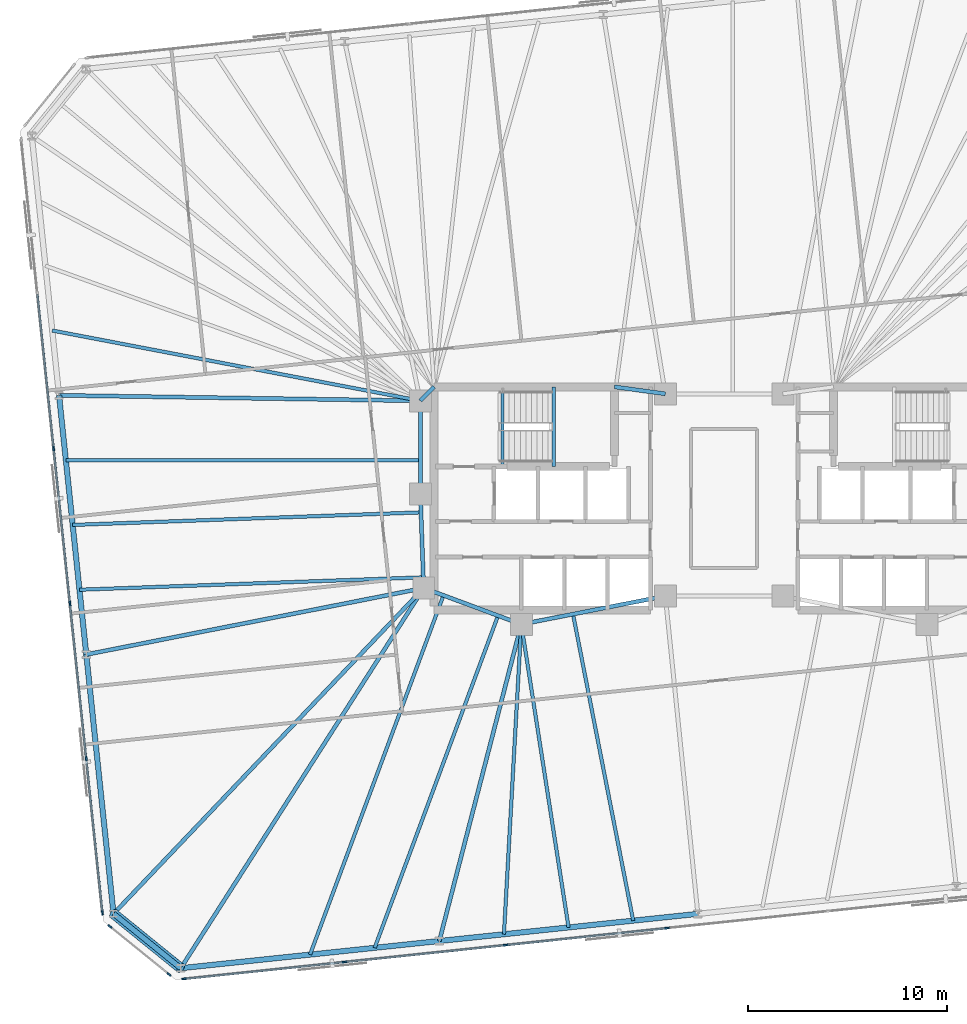
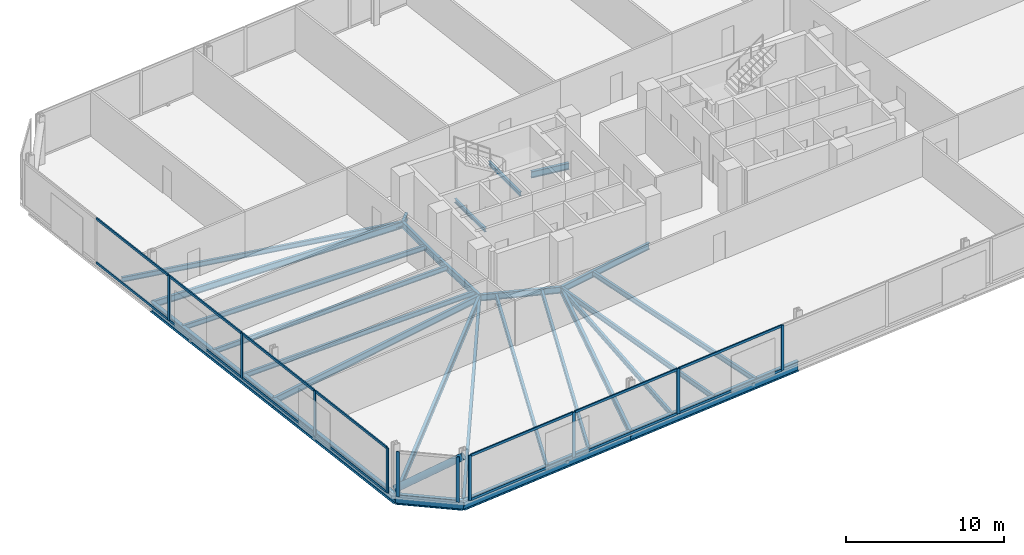
# One storey, part 6 of 18: 27 beams, 25 members, 3 elements without a shape of their own.
"""IFC4 building model written with IfcOpenShell, lengths in metres."""

from ifc_helpers import new_model, si_unit, direction, frame, origin, origin_2d, place, context, subcontext, project, spatial, rectangle, hollow_circle, i_section, extrude, material, material_profile, profile_set, type_object, element, aggregate, save


model = new_model("IFC4")

# Units and contexts
model_context = context("Model", 3, precision=1e-05, world=origin(), true_north=direction((0.0, 1.0)))
body_context = subcontext(model_context, "Body", "Model", "MODEL_VIEW")
ifc_project = project(units=[si_unit("LENGTHUNIT", "METRE"), si_unit("AREAUNIT", "SQUARE_METRE"), si_unit("VOLUMEUNIT", "CUBIC_METRE"), si_unit("PLANEANGLEUNIT", "RADIAN"), si_unit("MASSUNIT", "GRAM", prefix="KILO")], contexts=[model_context])

# Site, building, storey
site_placement = place(None, origin())
site = spatial("IfcSite", under=ifc_project, at=site_placement, CompositionType="ELEMENT")
building_placement = place(site_placement, origin())
building = spatial("IfcBuilding", under=site, at=building_placement, Name="Menara Jurai Vektor", CompositionType="ELEMENT")
storey_placement = place(building_placement, frame((0.0, 0.0, 105.89990234375)))
storey = spatial("IfcBuildingStorey", under=building, at=storey_placement, Name="L26", CompositionType="ELEMENT", Elevation=105.89990234375)

# Curtain wall, members
ifc_material_1 = material(Name="Anodised Pale Aluminium & Low-E Double Glazing", Category="aluminium")
curtain_wall_type = type_object("IfcCurtainWallType", Name="CW-BLK2", PredefinedType="NOTDEFINED", material=ifc_material_1)
curtain_wall_1_placement = place(storey_placement, origin())
curtain_wall_1 = element("IfcCurtainWall", 1, at=curtain_wall_1_placement, inside=storey, type_object=curtain_wall_type, Name="Unitised Curtain Wall L26 F01", PredefinedType="NOTDEFINED")
ifc_material_2 = material(Name="Anodised Pale Aluminium Mullion", Category="aluminium")
ifc_material_profile_1 = material_profile(ifc_material_2, rectangle(XDim=0.090087890625, YDim=0.219970703125, at=origin_2d()), Name="ALU MUL 90x220")
ifc_profile_set_1 = profile_set([ifc_material_profile_1], Name="Anodised Pale Aluminium Mullion")
member_type_1 = type_object("IfcMemberType", Name="CW-BLK2-MUL", PredefinedType="MULLION", material=ifc_profile_set_1)
member_1_placement = place(storey_placement, frame((-27.116455078125, -24.122314453125, 0.0), z_axis=(0.0, 0.0, 1.0), x_axis=(-0.104528634935, 0.994521877325, 0.0)))
member_1 = element("IfcMember", 2, at=member_1_placement, type_object=member_type_1, Name="CW-02 mullion 1", PredefinedType="MULLION", context=body_context, shape_type="SweptSolid", body=[
    extrude(rectangle(XDim=0.090087890625, YDim=0.219970703125, at=origin_2d()), origin(), (0.0, 0.0, 1.0), 3.47509765625),
])
member_2_placement = place(storey_placement, frame((-19.0634765625, -23.27587890625, 0.0), z_axis=(0.0, 0.0, 1.0), x_axis=(-0.104528634935, 0.994521877325, 0.0)))
member_2 = element("IfcMember", 3, at=member_2_placement, type_object=member_type_1, Name="CW-02 mullion 2", PredefinedType="MULLION", context=body_context, shape_type="SweptSolid", body=[
    extrude(rectangle(XDim=0.090087890625, YDim=0.219970703125, at=origin_2d()), origin(), (0.0, 0.0, 1.0), 3.47509765625),
])
member_3_placement = place(storey_placement, frame((-10.965576171875, -22.4248046875, 0.0), z_axis=(0.0, 0.0, 1.0), x_axis=(-0.104528634935, 0.994521877325, 0.0)))
member_3 = element("IfcMember", 4, at=member_3_placement, type_object=member_type_1, Name="CW-02 mullion 3", PredefinedType="MULLION", context=body_context, shape_type="SweptSolid", body=[
    extrude(rectangle(XDim=0.090087890625, YDim=0.219970703125, at=origin_2d()), origin(), (0.0, 0.0, 1.0), 3.47509765625),
])
member_4_placement = place(storey_placement, frame((-2.86767578125, -21.57373046875, 0.0), z_axis=(0.0, 0.0, 1.0), x_axis=(-0.104528634935, 0.994521877325, 0.0)))
member_4 = element("IfcMember", 5, at=member_4_placement, type_object=member_type_1, Name="CW-02 mullion 4", PredefinedType="MULLION", context=body_context, shape_type="SweptSolid", body=[
    extrude(rectangle(XDim=0.090087890625, YDim=0.219970703125, at=origin_2d()), origin(), (0.0, 0.0, 1.0), 3.47509765625),
])

curtain_wall_2_placement = place(storey_placement, origin())
curtain_wall_2 = element("IfcCurtainWall", 6, at=curtain_wall_2_placement, inside=storey, type_object=curtain_wall_type, Name="Unitised Curtain Wall L26 F07", PredefinedType="NOTDEFINED")
member_5_placement = place(storey_placement, frame((-33.66064453125, 2.50341796875, 0.0), z_axis=(0.0, 0.0, 1.0), x_axis=(0.99452177832, 0.104529576902, 0.0)))
member_5 = element("IfcMember", 7, at=member_5_placement, type_object=member_type_1, Name="CW-02 mullion 3", PredefinedType="MULLION", context=body_context, shape_type="SweptSolid", body=[
    extrude(rectangle(XDim=0.090087890625, YDim=0.219970703125, at=origin_2d()), origin(), (0.0, 0.0, 1.0), 3.47509765625),
])
member_6_placement = place(storey_placement, frame((-32.84228515625, -5.28173828125, 0.0), z_axis=(0.0, 0.0, 1.0), x_axis=(0.99452177832, 0.104529576902, 0.0)))
member_6 = element("IfcMember", 8, at=member_6_placement, type_object=member_type_1, Name="CW-02 mullion 4", PredefinedType="MULLION", context=body_context, shape_type="SweptSolid", body=[
    extrude(rectangle(XDim=0.090087890625, YDim=0.219970703125, at=origin_2d()), origin(), (0.0, 0.0, 1.0), 3.47509765625),
])
member_7_placement = place(storey_placement, frame((-32.024169921875, -13.06689453125, 0.0), z_axis=(0.0, 0.0, 1.0), x_axis=(0.99452177832, 0.104529576902, 0.0)))
member_7 = element("IfcMember", 9, at=member_7_placement, type_object=member_type_1, Name="CW-02 mullion 5", PredefinedType="MULLION", context=body_context, shape_type="SweptSolid", body=[
    extrude(rectangle(XDim=0.090087890625, YDim=0.219970703125, at=origin_2d()), origin(), (0.0, 0.0, 1.0), 3.47509765625),
])
member_8_placement = place(storey_placement, frame((-31.21044921875, -20.80712890625, 0.0), z_axis=(0.0, 0.0, 1.0), x_axis=(0.99452177832, 0.104529576902, 0.0)))
member_8 = element("IfcMember", 10, at=member_8_placement, type_object=member_type_1, Name="CW-02 mullion 6", PredefinedType="MULLION", context=body_context, shape_type="SweptSolid", body=[
    extrude(rectangle(XDim=0.090087890625, YDim=0.219970703125, at=origin_2d()), origin(), (0.0, 0.0, 1.0), 3.47509765625),
])

curtain_wall_3_placement = place(storey_placement, origin())
curtain_wall_3 = element("IfcCurtainWall", 11, at=curtain_wall_3_placement, inside=storey, type_object=curtain_wall_type, Name="Unitised Curtain Wall L26 F08", PredefinedType="NOTDEFINED")
member_9_placement = place(storey_placement, frame((-30.8359375, -21.497314453125, 0.0), z_axis=(0.0, 0.0, 1.0), x_axis=(0.629313085353, 0.777151877437, 0.0)))
member_9 = element("IfcMember", 12, at=member_9_placement, type_object=member_type_1, Name="CW-02 mullion 1", PredefinedType="MULLION", context=body_context, shape_type="SweptSolid", body=[
    extrude(rectangle(XDim=0.090087890625, YDim=0.219970703125, at=origin_2d()), origin(), (0.0, 0.0, 1.0), 3.47509765625),
])
member_10_placement = place(storey_placement, frame((-27.869384765625, -23.8994140625, 0.0), z_axis=(0.0, 0.0, 1.0), x_axis=(0.629313085353, 0.777151877437, 0.0)))
member_10 = element("IfcMember", 13, at=member_10_placement, type_object=member_type_1, Name="CW-02 mullion 2", PredefinedType="MULLION", context=body_context, shape_type="SweptSolid", body=[
    extrude(rectangle(XDim=0.090087890625, YDim=0.219970703125, at=origin_2d()), origin(), (0.0, 0.0, 1.0), 3.47509765625),
])
aggregate(curtain_wall_3, [member_9, member_10])

# Member
ifc_material_3 = material(Name="Anodised Pale Aluminium Transom", Category="aluminium")
ifc_material_profile_2 = material_profile(ifc_material_3, rectangle(XDim=0.090087890625, YDim=0.18505859375, at=origin_2d()), Name="ALU TRN 90x185")
ifc_profile_set_2 = profile_set([ifc_material_profile_2], Name="Anodised Pale Aluminium Transom")
member_type_2 = type_object("IfcMemberType", Name="CW-BLK2-TRN", PredefinedType="USERDEFINED", material=ifc_profile_set_2)
member_11_placement = place(storey_placement, frame((-27.07177734375, -24.11767578125, 0.045166015625), z_axis=(0.994523147415, 0.10451655015, 0.0), x_axis=(-0.10451655015, 0.994523147415, 0.0)))
member_11 = element("IfcMember", 14, at=member_11_placement, type_object=member_type_2, Name="CW-02 transom 1.1", ObjectType="TRANSOM", PredefinedType="USERDEFINED", context=body_context, shape_type="SweptSolid", body=[
    extrude(rectangle(XDim=0.090087890625, YDim=0.18505859375, at=origin_2d()), origin(), (0.0, 0.0, 1.0), 8.007568359375),
])

member_12_placement = place(storey_placement, frame((-27.07177734375, -24.11767578125, 3.43017578125), z_axis=(0.994523147415, 0.10451655015, 0.0), x_axis=(-0.10451655015, 0.994523147415, 0.0)))
member_12 = element("IfcMember", 15, at=member_12_placement, type_object=member_type_2, Name="CW-02 transom 1.2", ObjectType="TRANSOM", PredefinedType="USERDEFINED", context=body_context, shape_type="SweptSolid", body=[
    extrude(rectangle(XDim=0.090087890625, YDim=0.18505859375, at=origin_2d()), origin(), (0.0, 0.0, 1.0), 8.007568359375),
])

member_13_placement = place(storey_placement, frame((-19.0185546875, -23.271240234375, 0.045166015625), z_axis=(0.994520726373, 0.10453958492, 0.0), x_axis=(-0.10453958492, 0.994520726373, 0.0)))
member_13 = element("IfcMember", 16, at=member_13_placement, type_object=member_type_2, Name="CW-02 transom 2.1", ObjectType="TRANSOM", PredefinedType="USERDEFINED", context=body_context, shape_type="SweptSolid", body=[
    extrude(rectangle(XDim=0.090087890625, YDim=0.18505859375, at=origin_2d()), origin(), (0.0, 0.0, 1.0), 8.052490234375),
])

member_14_placement = place(storey_placement, frame((-19.0185546875, -23.271240234375, 3.43017578125), z_axis=(0.994520726373, 0.10453958492, 0.0), x_axis=(-0.10453958492, 0.994520726373, 0.0)))
member_14 = element("IfcMember", 17, at=member_14_placement, type_object=member_type_2, Name="CW-02 transom 2.2", ObjectType="TRANSOM", PredefinedType="USERDEFINED", context=body_context, shape_type="SweptSolid", body=[
    extrude(rectangle(XDim=0.090087890625, YDim=0.18505859375, at=origin_2d()), origin(), (0.0, 0.0, 1.0), 8.052490234375),
])

member_15_placement = place(storey_placement, frame((-10.920654296875, -22.420166015625, 0.045166015625), z_axis=(0.994520726373, 0.10453958492, 0.0), x_axis=(-0.10453958492, 0.994520726373, 0.0)))
member_15 = element("IfcMember", 18, at=member_15_placement, type_object=member_type_2, Name="CW-02 transom 3.1", ObjectType="TRANSOM", PredefinedType="USERDEFINED", context=body_context, shape_type="SweptSolid", body=[
    extrude(rectangle(XDim=0.090087890625, YDim=0.18505859375, at=origin_2d()), origin(), (0.0, 0.0, 1.0), 8.052490234375),
])

member_16_placement = place(storey_placement, frame((-10.920654296875, -22.420166015625, 3.43017578125), z_axis=(0.994520726373, 0.10453958492, 0.0), x_axis=(-0.10453958492, 0.994520726373, 0.0)))
member_16 = element("IfcMember", 19, at=member_16_placement, type_object=member_type_2, Name="CW-02 transom 3.2", ObjectType="TRANSOM", PredefinedType="USERDEFINED", context=body_context, shape_type="SweptSolid", body=[
    extrude(rectangle(XDim=0.090087890625, YDim=0.18505859375, at=origin_2d()), origin(), (0.0, 0.0, 1.0), 8.052490234375),
])

aggregate(curtain_wall_1, [member_1, member_2, member_3, member_4, member_11, member_12, member_13, member_14, member_15, member_16])

member_17_placement = place(storey_placement, frame((-34.47412109375, 10.243896484375, 0.045166015625), z_axis=(0.104525476786, -0.994522209256, 0.0), x_axis=(0.994522209256, 0.104525476786, 0.0)))
member_17 = element("IfcMember", 20, at=member_17_placement, type_object=member_type_2, Name="CW-02 transom 2.1", ObjectType="TRANSOM", PredefinedType="USERDEFINED", context=body_context, shape_type="SweptSolid", body=[
    extrude(rectangle(XDim=0.090087890625, YDim=0.18505859375, at=origin_2d()), origin(), (0.0, 0.0, 1.0), 7.73828125),
])

member_18_placement = place(storey_placement, frame((-34.47412109375, 10.243896484375, 3.43017578125), z_axis=(0.104525476786, -0.994522209256, 0.0), x_axis=(0.994522209256, 0.104525476786, 0.0)))
member_18 = element("IfcMember", 21, at=member_18_placement, type_object=member_type_2, Name="CW-02 transom 2.2", ObjectType="TRANSOM", PredefinedType="USERDEFINED", context=body_context, shape_type="SweptSolid", body=[
    extrude(rectangle(XDim=0.090087890625, YDim=0.18505859375, at=origin_2d()), origin(), (0.0, 0.0, 1.0), 7.73828125),
])

member_19_placement = place(storey_placement, frame((-33.65576171875, 2.458740234375, 0.045166015625), z_axis=(0.104525476786, -0.994522209256, 0.0), x_axis=(0.994522209256, 0.104525476786, 0.0)))
member_19 = element("IfcMember", 22, at=member_19_placement, type_object=member_type_2, Name="CW-02 transom 3.1", ObjectType="TRANSOM", PredefinedType="USERDEFINED", context=body_context, shape_type="SweptSolid", body=[
    extrude(rectangle(XDim=0.090087890625, YDim=0.18505859375, at=origin_2d()), origin(), (0.0, 0.0, 1.0), 7.73828125),
])

member_20_placement = place(storey_placement, frame((-33.65576171875, 2.458740234375, 3.43017578125), z_axis=(0.104525476786, -0.994522209256, 0.0), x_axis=(0.994522209256, 0.104525476786, 0.0)))
member_20 = element("IfcMember", 23, at=member_20_placement, type_object=member_type_2, Name="CW-02 transom 3.2", ObjectType="TRANSOM", PredefinedType="USERDEFINED", context=body_context, shape_type="SweptSolid", body=[
    extrude(rectangle(XDim=0.090087890625, YDim=0.18505859375, at=origin_2d()), origin(), (0.0, 0.0, 1.0), 7.73828125),
])

member_21_placement = place(storey_placement, frame((-32.837646484375, -5.326416015625, 0.045166015625), z_axis=(0.104525476786, -0.994522209256, 0.0), x_axis=(0.994522209256, 0.104525476786, 0.0)))
member_21 = element("IfcMember", 24, at=member_21_placement, type_object=member_type_2, Name="CW-02 transom 4.1", ObjectType="TRANSOM", PredefinedType="USERDEFINED", context=body_context, shape_type="SweptSolid", body=[
    extrude(rectangle(XDim=0.090087890625, YDim=0.18505859375, at=origin_2d()), origin(), (0.0, 0.0, 1.0), 7.73828125),
])

member_22_placement = place(storey_placement, frame((-32.837646484375, -5.326416015625, 3.43017578125), z_axis=(0.104525476786, -0.994522209256, 0.0), x_axis=(0.994522209256, 0.104525476786, 0.0)))
member_22 = element("IfcMember", 25, at=member_22_placement, type_object=member_type_2, Name="CW-02 transom 4.2", ObjectType="TRANSOM", PredefinedType="USERDEFINED", context=body_context, shape_type="SweptSolid", body=[
    extrude(rectangle(XDim=0.090087890625, YDim=0.18505859375, at=origin_2d()), origin(), (0.0, 0.0, 1.0), 7.73828125),
])

member_23_placement = place(storey_placement, frame((-32.019287109375, -13.111572265625, 0.045166015625), z_axis=(0.104536105602, -0.994521092097, 0.0), x_axis=(0.994521092097, 0.104536105602, 0.0)))
member_23 = element("IfcMember", 26, at=member_23_placement, type_object=member_type_2, Name="CW-02 transom 5.1", ObjectType="TRANSOM", PredefinedType="USERDEFINED", context=body_context, shape_type="SweptSolid", body=[
    extrude(rectangle(XDim=0.090087890625, YDim=0.18505859375, at=origin_2d()), origin(), (0.0, 0.0, 1.0), 7.693115234375),
])

member_24_placement = place(storey_placement, frame((-32.019287109375, -13.111572265625, 3.43017578125), z_axis=(0.104536105602, -0.994521092097, 0.0), x_axis=(0.994521092097, 0.104536105602, 0.0)))
member_24 = element("IfcMember", 27, at=member_24_placement, type_object=member_type_2, Name="CW-02 transom 5.2", ObjectType="TRANSOM", PredefinedType="USERDEFINED", context=body_context, shape_type="SweptSolid", body=[
    extrude(rectangle(XDim=0.090087890625, YDim=0.18505859375, at=origin_2d()), origin(), (0.0, 0.0, 1.0), 7.693115234375),
])

aggregate(curtain_wall_2, [member_5, member_6, member_7, member_8, member_17, member_18, member_19, member_20, member_21, member_22, member_23, member_24])

# Beams
ifc_material_4 = material(Name="Steel S355", Category="steel")
ifc_material_profile_3 = material_profile(ifc_material_4, i_section(OverallWidth=0.199951171875, OverallDepth=0.5, WebThickness=0.011962890625, FlangeThickness=0.02001953125, at=origin_2d()), Name="PG 500x200x96")
ifc_profile_set_3 = profile_set([ifc_material_profile_3], Name="Steel S355")
beam_type_1 = type_object("IfcBeamType", Name="STR-BM-500", PredefinedType="BEAM", material=ifc_profile_set_3)
beam_1_placement = place(storey_placement, frame((-15.25, 4.89990234375, -0.474853515625), z_axis=(0.701871936926, 0.712303154672, 0.0), x_axis=(-0.712303154672, 0.701871936926, 0.0)))
element("IfcBeam", 28, at=beam_1_placement, inside=storey, type_object=beam_type_1, Name="Core Ring Header Girder L26-CHW-N1", PredefinedType="BEAM", context=body_context, shape_type="SweptSolid", body=[
    extrude(i_section(OverallWidth=0.199951171875, OverallDepth=0.5, WebThickness=0.011962890625, FlangeThickness=0.02001953125, at=origin_2d()), origin(), (0.0, 0.0, 1.0), 0.98291015625),
])
beam_2_placement = place(storey_placement, frame((-5.5, 5.60009765625, -0.474853515625), z_axis=(0.990706818608, -0.136014703483, 0.0), x_axis=(0.136014703483, 0.990706818608, 0.0)))
element("IfcBeam", 29, at=beam_2_placement, inside=storey, type_object=beam_type_1, Name="Core Ring Header Girder L26-CHW-N2", PredefinedType="BEAM", context=body_context, shape_type="SweptSolid", body=[
    extrude(i_section(OverallWidth=0.199951171875, OverallDepth=0.5, WebThickness=0.011962890625, FlangeThickness=0.02001953125, at=origin_2d()), origin(), (0.0, 0.0, 1.0), 2.573974609375),
])
beam_3_placement = place(storey_placement, frame((-15.25, 0.219970703125, -0.474853515625), z_axis=(0.0, 1.0, 0.0), x_axis=(-1.0, 0.0, 0.0)))
element("IfcBeam", 30, at=beam_3_placement, inside=storey, type_object=beam_type_1, Name="Core Ring Header Girder L26-CHW-W1", PredefinedType="BEAM", context=body_context, shape_type="SweptSolid", body=[
    extrude(i_section(OverallWidth=0.199951171875, OverallDepth=0.5, WebThickness=0.011962890625, FlangeThickness=0.02001953125, at=origin_2d()), origin(), (0.0, 0.0, 1.0), 4.679931640625),
])
beam_4_placement = place(storey_placement, frame((-15.080078125, -4.5, -0.474853515625), z_axis=(-0.035977314146, 0.999352606874, 0.0), x_axis=(-0.999352606874, -0.035977314146, 0.0)))
element("IfcBeam", 31, at=beam_4_placement, inside=storey, type_object=beam_type_1, Name="Core Ring Header Girder L26-CHW-W2", PredefinedType="BEAM", context=body_context, shape_type="SweptSolid", body=[
    extrude(i_section(OverallWidth=0.199951171875, OverallDepth=0.5, WebThickness=0.011962890625, FlangeThickness=0.02001953125, at=origin_2d()), origin(), (0.0, 0.0, 1.0), 4.72314453125),
])
beam_5_placement = place(storey_placement, frame((-15.080078125, -4.5, -0.474853515625), z_axis=(0.937424400887, -0.348188874925, 0.0), x_axis=(0.348188874925, 0.937424400887, 0.0)))
element("IfcBeam", 32, at=beam_5_placement, inside=storey, type_object=beam_type_1, Name="Core Ring Header Girder L26-CHW-S1", PredefinedType="BEAM", context=body_context, shape_type="SweptSolid", body=[
    extrude(i_section(OverallWidth=0.199951171875, OverallDepth=0.5, WebThickness=0.011962890625, FlangeThickness=0.02001953125, at=origin_2d()), origin(), (0.0, 0.0, 1.0), 5.227294921875),
])
beam_6_placement = place(storey_placement, frame((-10.179931640625, -6.320068359375, -0.474853515625), z_axis=(0.981249044334, 0.192744164614, 0.0), x_axis=(-0.192744164614, 0.981249044334, 0.0)))
element("IfcBeam", 33, at=beam_6_placement, inside=storey, type_object=beam_type_1, Name="Core Ring Header Girder L26-CHW-S2", PredefinedType="BEAM", context=body_context, shape_type="SweptSolid", body=[
    extrude(i_section(OverallWidth=0.199951171875, OverallDepth=0.5, WebThickness=0.011962890625, FlangeThickness=0.02001953125, at=origin_2d()), origin(), (0.0, 0.0, 1.0), 7.3681640625),
])
beam_7_placement = place(storey_placement, frame((-27.2763671875, -23.586181640625, -0.474853515625), z_axis=(0.538462629542, 0.842649391258, 0.0), x_axis=(-0.842649391258, 0.538462629542, 0.0)))
element("IfcBeam", 34, at=beam_7_placement, inside=storey, type_object=beam_type_1, Name="Radial Floor Girder L26-S1", PredefinedType="BEAM", context=body_context, shape_type="SweptSolid", body=[
    extrude(i_section(OverallWidth=0.199951171875, OverallDepth=0.5, WebThickness=0.011962890625, FlangeThickness=0.02001953125, at=origin_2d()), origin(), (0.0, 0.0, 1.0), 22.650146484375),
])
beam_8_placement = place(storey_placement, frame((-14.296630859375, -22.221923828125, -0.474853515625), z_axis=(0.250619644892, 0.968085633399, 0.0), x_axis=(-0.968085633399, 0.250619644892, 0.0)))
element("IfcBeam", 35, at=beam_8_placement, inside=storey, type_object=beam_type_1, Name="Radial Floor Girder L26-S2", PredefinedType="BEAM", context=body_context, shape_type="SweptSolid", body=[
    extrude(i_section(OverallWidth=0.199951171875, OverallDepth=0.5, WebThickness=0.011962890625, FlangeThickness=0.02001953125, at=origin_2d()), origin(), (0.0, 0.0, 1.0), 16.426025390625),
])
beam_9_placement = place(storey_placement, frame((-33.38818359375, 5.175048828125, -0.474853515625), z_axis=(0.999884963566, -0.015167716827, 0.0), x_axis=(0.015167716827, 0.999884963566, 0.0)))
element("IfcBeam", 36, at=beam_9_placement, inside=storey, type_object=beam_type_1, Name="Radial Floor Girder L26-W2", PredefinedType="BEAM", context=body_context, shape_type="SweptSolid", body=[
    extrude(i_section(OverallWidth=0.199951171875, OverallDepth=0.5, WebThickness=0.011962890625, FlangeThickness=0.02001953125, at=origin_2d()), origin(), (0.0, 0.0, 1.0), 18.140380859375),
])
beam_10_placement = place(storey_placement, frame((-32.0205078125, -7.83837890625, -0.474853515625), z_axis=(0.98113039493, 0.193347221714, 0.0), x_axis=(-0.193347221714, 0.98113039493, 0.0)))
element("IfcBeam", 37, at=beam_10_placement, inside=storey, type_object=beam_type_1, Name="Radial Floor Girder L26-W3", PredefinedType="BEAM", context=body_context, shape_type="SweptSolid", body=[
    extrude(i_section(OverallWidth=0.199951171875, OverallDepth=0.5, WebThickness=0.011962890625, FlangeThickness=0.02001953125, at=origin_2d()), origin(), (0.0, 0.0, 1.0), 17.266357421875),
])
beam_11_placement = place(storey_placement, frame((-30.65283203125, -20.85205078125, -0.474853515625), z_axis=(0.689640593718, 0.724151815227, 0.0), x_axis=(-0.724151815227, 0.689640593718, 0.0)))
element("IfcBeam", 38, at=beam_11_placement, inside=storey, type_object=beam_type_1, Name="Radial Floor Girder L26-W4", PredefinedType="BEAM", context=body_context, shape_type="SweptSolid", body=[
    extrude(i_section(OverallWidth=0.199951171875, OverallDepth=0.5, WebThickness=0.011962890625, FlangeThickness=0.02001953125, at=origin_2d()), origin(), (0.0, 0.0, 1.0), 22.5810546875),
])

# Member
ifc_material_5 = material(Name="Steel S460", Category="steel")
ifc_material_profile_4 = material_profile(ifc_material_5, hollow_circle(Radius=0.25390625, WallThickness=0.02001953125, at=origin_2d()), Name="CHS 508x20")
ifc_profile_set_4 = profile_set([ifc_material_profile_4], Name="Steel S460")
member_type_3 = type_object("IfcMemberType", Name="STR-BR-508", PredefinedType="BRACE", material=ifc_profile_set_4)
member_25_placement = place(storey_placement, frame((-30.65283203125, -20.85205078125, 0.150146484375), z_axis=(0.641240080956, -0.51925145818, 0.564968213047), x_axis=(0.629309762217, 0.777154568396, 0.0)))
element("IfcMember", 39, at=member_25_placement, inside=storey, type_object=member_type_3, Name="Exoskeleton Corner Brace L26-4", PredefinedType="BRACE", context=body_context, shape_type="SweptSolid", body=[
    extrude(hollow_circle(Radius=0.25390625, WallThickness=0.02001953125, at=origin_2d()), origin(), (0.0, 0.0, 1.0), 5.265625),
])

# Beams
ifc_material_profile_5 = material_profile(ifc_material_4, i_section(OverallWidth=0.175048828125, OverallDepth=0.3798828125, WebThickness=0.010009765625, FlangeThickness=0.014892578125, at=origin_2d()), Name="PG 380x175x58")
ifc_profile_set_5 = profile_set([ifc_material_profile_5], Name="Steel S355")
beam_type_2 = type_object("IfcBeamType", Name="STR-JS-380", PredefinedType="JOIST", material=ifc_profile_set_5)
beam_12_placement = place(storey_placement, frame((-20.78662109375, -22.904052734375, -0.414794921875), z_axis=(0.34819162731, 0.93742337856, 0.0), x_axis=(-0.93742337856, 0.34819162731, 0.0)))
element("IfcBeam", 40, at=beam_12_placement, inside=storey, type_object=beam_type_2, Name="Radial Secondary Floor Joist L26-JS01", PredefinedType="JOIST", context=body_context, shape_type="SweptSolid", body=[
    extrude(i_section(OverallWidth=0.175048828125, OverallDepth=0.3798828125, WebThickness=0.010009765625, FlangeThickness=0.014892578125, at=origin_2d()), origin(), (0.0, 0.0, 1.0), 19.2392578125),
])
beam_13_placement = place(storey_placement, frame((-17.54150390625, -22.56298828125, -0.414794921875), z_axis=(0.348184462185, 0.937426039906, 0.0), x_axis=(-0.937426039906, 0.348184462185, 0.0)))
element("IfcBeam", 41, at=beam_13_placement, inside=storey, type_object=beam_type_2, Name="Radial Secondary Floor Joist L26-JS02", PredefinedType="JOIST", context=body_context, shape_type="SweptSolid", body=[
    extrude(i_section(OverallWidth=0.175048828125, OverallDepth=0.3798828125, WebThickness=0.010009765625, FlangeThickness=0.014892578125, at=origin_2d()), origin(), (0.0, 0.0, 1.0), 17.789794921875),
])
beam_14_placement = place(storey_placement, frame((-11.0517578125, -21.880859375, -0.414794921875), z_axis=(0.055939382302, 0.998434166837, 0.0), x_axis=(-0.998434166837, 0.055939382302, 0.0)))
element("IfcBeam", 42, at=beam_14_placement, inside=storey, type_object=beam_type_2, Name="Radial Secondary Floor Joist L26-JS03", PredefinedType="JOIST", context=body_context, shape_type="SweptSolid", body=[
    extrude(i_section(OverallWidth=0.175048828125, OverallDepth=0.3798828125, WebThickness=0.010009765625, FlangeThickness=0.014892578125, at=origin_2d()), origin(), (0.0, 0.0, 1.0), 15.585205078125),
])
beam_15_placement = place(storey_placement, frame((-7.806884765625, -21.539794921875, -0.414794921875), z_axis=(-0.154057765645, 0.988061842622, 0.0), x_axis=(-0.988061842622, -0.154057765645, 0.0)))
element("IfcBeam", 43, at=beam_15_placement, inside=storey, type_object=beam_type_2, Name="Radial Secondary Floor Joist L26-JS04", PredefinedType="JOIST", context=body_context, shape_type="SweptSolid", body=[
    extrude(i_section(OverallWidth=0.175048828125, OverallDepth=0.3798828125, WebThickness=0.010009765625, FlangeThickness=0.014892578125, at=origin_2d()), origin(), (0.0, 0.0, 1.0), 15.403564453125),
])
beam_16_placement = place(storey_placement, frame((-4.56201171875, -21.19873046875, -0.414794921875), z_axis=(-0.19271398667, 0.981254971627, 0.0), x_axis=(-0.981254971627, -0.19271398667, 0.0)))
element("IfcBeam", 44, at=beam_16_placement, inside=storey, type_object=beam_type_2, Name="Radial Secondary Floor Joist L26-JS05", PredefinedType="JOIST", context=body_context, shape_type="SweptSolid", body=[
    extrude(i_section(OverallWidth=0.175048828125, OverallDepth=0.3798828125, WebThickness=0.010009765625, FlangeThickness=0.014892578125, at=origin_2d()), origin(), (0.0, 0.0, 1.0), 15.682373046875),
])
beam_17_placement = place(storey_placement, frame((-33.730224609375, 8.428466796875, -0.414794921875), z_axis=(0.982255215221, -0.187549172674, 0.0), x_axis=(0.187549172674, 0.982255215221, 0.0)))
element("IfcBeam", 45, at=beam_17_placement, inside=storey, type_object=beam_type_2, Name="Radial Secondary Floor Joist L26-JS38", PredefinedType="JOIST", context=body_context, shape_type="SweptSolid", body=[
    extrude(i_section(OverallWidth=0.175048828125, OverallDepth=0.3798828125, WebThickness=0.010009765625, FlangeThickness=0.014892578125, at=origin_2d()), origin(), (0.0, 0.0, 1.0), 18.81396484375),
])
beam_18_placement = place(storey_placement, frame((-33.04638671875, 1.921630859375, -0.414794921875), z_axis=(1.0, 0.0, 0.0), x_axis=(0.0, 1.0, 0.0)))
element("IfcBeam", 46, at=beam_18_placement, inside=storey, type_object=beam_type_2, Name="Radial Secondary Floor Joist L26-JS39", PredefinedType="JOIST", context=body_context, shape_type="SweptSolid", body=[
    extrude(i_section(OverallWidth=0.175048828125, OverallDepth=0.3798828125, WebThickness=0.010009765625, FlangeThickness=0.014892578125, at=origin_2d()), origin(), (0.0, 0.0, 1.0), 17.79638671875),
])
beam_19_placement = place(storey_placement, frame((-32.704345703125, -1.331787109375, -0.414794921875), z_axis=(0.999351948809, 0.035995588769, 0.0), x_axis=(-0.035995588769, 0.999351948809, 0.0)))
element("IfcBeam", 47, at=beam_19_placement, inside=storey, type_object=beam_type_2, Name="Radial Secondary Floor Joist L26-JS40", PredefinedType="JOIST", context=body_context, shape_type="SweptSolid", body=[
    extrude(i_section(OverallWidth=0.175048828125, OverallDepth=0.3798828125, WebThickness=0.010009765625, FlangeThickness=0.014892578125, at=origin_2d()), origin(), (0.0, 0.0, 1.0), 17.498779296875),
])
beam_20_placement = place(storey_placement, frame((-32.362548828125, -4.5849609375, -0.414794921875), z_axis=(0.999352405578, 0.03598290517, 0.0), x_axis=(-0.03598290517, 0.999352405578, 0.0)))
element("IfcBeam", 48, at=beam_20_placement, inside=storey, type_object=beam_type_2, Name="Radial Secondary Floor Joist L26-JS41", PredefinedType="JOIST", context=body_context, shape_type="SweptSolid", body=[
    extrude(i_section(OverallWidth=0.175048828125, OverallDepth=0.3798828125, WebThickness=0.010009765625, FlangeThickness=0.014892578125, at=origin_2d()), origin(), (0.0, 0.0, 1.0), 17.2744140625),
])
ifc_material_profile_6 = material_profile(ifc_material_4, i_section(OverallWidth=0.1650390625, OverallDepth=0.302978515625, WebThickness=0.006103515625, FlangeThickness=0.010009765625, FilletRadius=0.009033203125, at=origin_2d()), Name="UKB 305x165x40")
ifc_profile_set_6 = profile_set([ifc_material_profile_6], Name="Steel S355")
beam_type_3 = type_object("IfcBeamType", Name="STR-LN-305", PredefinedType="LINTEL", material=ifc_profile_set_6)
beam_21_placement = place(storey_placement, frame((-11.1201171875, 1.60009765625, -0.37646484375), z_axis=(0.0, 1.0, 0.0), x_axis=(-1.0, 0.0, 0.0)))
element("IfcBeam", 49, at=beam_21_placement, inside=storey, type_object=beam_type_3, Name="Stair Well Floor Trimmer ST1 L26", PredefinedType="LINTEL", context=body_context, shape_type="SweptSolid", body=[
    extrude(i_section(OverallWidth=0.1650390625, OverallDepth=0.302978515625, WebThickness=0.006103515625, FlangeThickness=0.010009765625, FilletRadius=0.009033203125, at=origin_2d()), origin(), (0.0, 0.0, 1.0), 3.81982421875),
])
beam_22_placement = place(storey_placement, frame((-8.550048828125, 1.60009765625, 1.49853515625), z_axis=(0.0, 1.0, 0.0), x_axis=(-1.0, 0.0, 0.0)))
element("IfcBeam", 50, at=beam_22_placement, inside=storey, type_object=beam_type_3, Name="Stair Half-Landing Nosing Trimmer ST1-1 L26", PredefinedType="LINTEL", context=body_context, shape_type="SweptSolid", body=[
    extrude(i_section(OverallWidth=0.1650390625, OverallDepth=0.302978515625, WebThickness=0.006103515625, FlangeThickness=0.010009765625, FilletRadius=0.009033203125, at=origin_2d()), origin(), (0.0, 0.0, 1.0), 4.0),
])
ifc_material_profile_7 = material_profile(ifc_material_5, i_section(OverallWidth=0.26806640625, OverallDepth=0.77001953125, WebThickness=0.01611328125, FlangeThickness=0.02490234375, FilletRadius=0.01708984375, at=origin_2d()), Name="UKB 762x267x197")
ifc_profile_set_7 = profile_set([ifc_material_profile_7], Name="Steel S460")
beam_type_4 = type_object("IfcBeamType", Name="STR-SP-762", PredefinedType="SPANDREL", material=ifc_profile_set_7)
for number, where, z_axis, x_axis, name in (
    (51, (-27.2763671875, -23.586181640625, -0.60986328125), (0.994521636083, 0.104530930169, 0.0), (-0.104530930169, 0.994521636083, 0.0), "Exoskeleton Spandrel Beam L26-01"),
    (52, (-14.296630859375, -22.221923828125, -0.60986328125), (0.994523580592, 0.104512428191, 0.0), (-0.104512428191, 0.994523580592, 0.0), "Exoskeleton Spandrel Beam L26-02"),
):
    element("IfcBeam", number, at=place(storey_placement, frame(where, z_axis=z_axis, x_axis=x_axis)), inside=storey, type_object=beam_type_4, Name=name, PredefinedType="SPANDREL", context=body_context, shape_type="SweptSolid", body=[
        extrude(i_section(OverallWidth=0.26806640625, OverallDepth=0.77001953125, WebThickness=0.01611328125, FlangeThickness=0.02490234375, FilletRadius=0.01708984375, at=origin_2d()), origin(), (0.0, 0.0, 1.0), 13.05126953125),
    ])
beam_23_placement = place(storey_placement, frame((-33.38818359375, 5.175048828125, -0.60986328125), z_axis=(0.104521615846, -0.994522615037, 0.0), x_axis=(0.994522615037, 0.104521615846, 0.0)))
element("IfcBeam", 53, at=beam_23_placement, inside=storey, type_object=beam_type_4, Name="Exoskeleton Spandrel Beam L26-18", PredefinedType="SPANDREL", context=body_context, shape_type="SweptSolid", body=[
    extrude(i_section(OverallWidth=0.26806640625, OverallDepth=0.77001953125, WebThickness=0.01611328125, FlangeThickness=0.02490234375, FilletRadius=0.01708984375, at=origin_2d()), origin(), (0.0, 0.0, 1.0), 13.085205078125),
])
beam_24_placement = place(storey_placement, frame((-32.0205078125, -7.83837890625, -0.60986328125), z_axis=(0.104519676409, -0.994522818865, 0.0), x_axis=(0.994522818865, 0.104519676409, 0.0)))
element("IfcBeam", 54, at=beam_24_placement, inside=storey, type_object=beam_type_4, Name="Exoskeleton Spandrel Beam L26-19", PredefinedType="SPANDREL", context=body_context, shape_type="SweptSolid", body=[
    extrude(i_section(OverallWidth=0.26806640625, OverallDepth=0.77001953125, WebThickness=0.01611328125, FlangeThickness=0.02490234375, FilletRadius=0.01708984375, at=origin_2d()), origin(), (0.0, 0.0, 1.0), 13.08544921875),
])
beam_25_placement = place(storey_placement, frame((-30.65283203125, -20.85205078125, -0.60986328125), z_axis=(0.777154568396, -0.629309762217, 0.0), x_axis=(0.629309762217, 0.777154568396, 0.0)))
element("IfcBeam", 55, at=beam_25_placement, inside=storey, type_object=beam_type_4, Name="Exoskeleton Spandrel Beam L26-20", PredefinedType="SPANDREL", context=body_context, shape_type="SweptSolid", body=[
    extrude(i_section(OverallWidth=0.26806640625, OverallDepth=0.77001953125, WebThickness=0.01611328125, FlangeThickness=0.02490234375, FilletRadius=0.01708984375, at=origin_2d()), origin(), (0.0, 0.0, 1.0), 4.3447265625),
])

save(model, "model.ifc")
